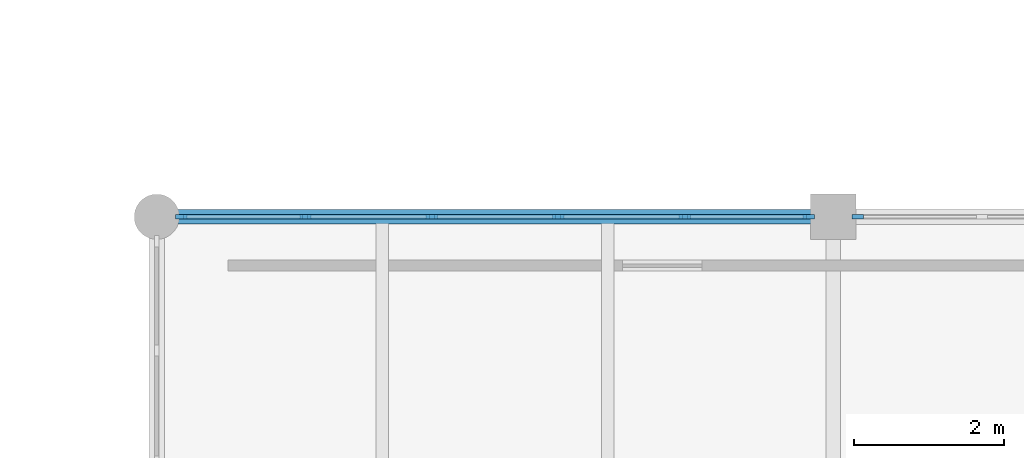
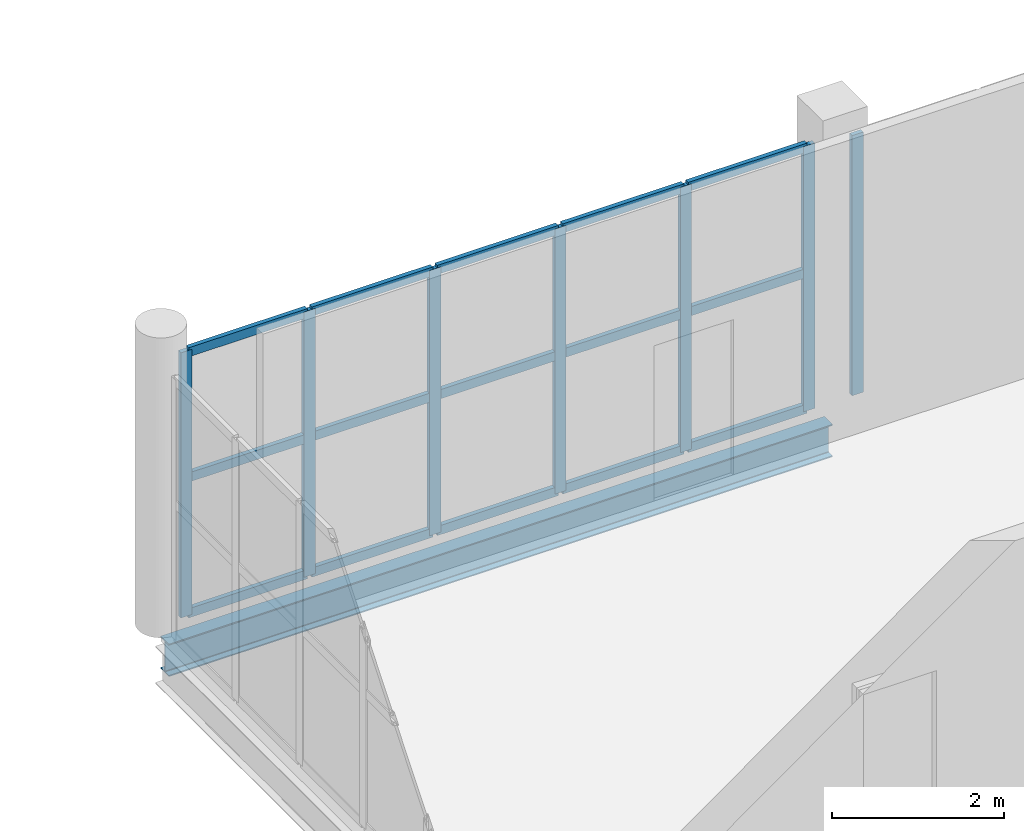
# One storey, part 31 of 73: 22 members, 1 beam, 2 elements without a shape of their own.
"""IFC4 building model written with IfcOpenShell, lengths in metres."""

from ifc_helpers import new_model, si_unit, direction, frame, origin, origin_2d, place, context, subcontext, project, spatial, rectangle, i_section, extrude, material, layer, layer_set, material_profile, profile_set, type_object, element, aggregate, save


model = new_model("IFC4")

# Units and contexts
model_context = context("Model", 3, precision=1e-05, world=origin(), true_north=direction((0.0, 1.0)))
body_context = subcontext(model_context, "Body", "Model", "MODEL_VIEW")
ifc_project = project(units=[si_unit("LENGTHUNIT", "METRE"), si_unit("AREAUNIT", "SQUARE_METRE"), si_unit("VOLUMEUNIT", "CUBIC_METRE"), si_unit("PLANEANGLEUNIT", "RADIAN"), si_unit("MASSUNIT", "GRAM", prefix="KILO")], contexts=[model_context])

# Site, building, storey
site_placement = place(None, origin())
site = spatial("IfcSite", under=ifc_project, at=site_placement, CompositionType="ELEMENT")
building_placement = place(site_placement, origin())
building = spatial("IfcBuilding", under=site, at=building_placement, Name="Marnock Terrace Opera House", CompositionType="ELEMENT")
storey_placement = place(building_placement, frame((0.0, 0.0, 14.699951171875)))
storey = spatial("IfcBuildingStorey", under=building, at=storey_placement, Name="L03", CompositionType="ELEMENT", Elevation=14.699951171875)

# Beam
ifc_material_1 = material(Name="Steel Grade 350 (AS/NZS 3679.1)", Category="steel")
ifc_material_profile_1 = material_profile(ifc_material_1, i_section(OverallWidth=0.19091796875, OverallDepth=0.46044921875, WebThickness=0.010009765625, FlangeThickness=0.01611328125, FilletRadius=0.011474609375, at=origin_2d()))
ifc_profile_set_1 = profile_set([ifc_material_profile_1], Name="Steel Grade 350 (AS/NZS 3679.1)")
beam_type = type_object("IfcBeamType", Name="BM-GIRD-460A", PredefinedType="BEAM", material=ifc_profile_set_1)
beam_placement = place(storey_placement, frame((118.050048828125, 40.0, -0.490234375), z_axis=(1.0, 0.0, 0.0), x_axis=(0.0, 1.0, 0.0)))
element("IfcBeam", 1, at=beam_placement, inside=storey, type_object=beam_type, Name="L03 girder (118.0..127.0, Y=40.0)", PredefinedType="BEAM", context=body_context, shape_type="SweptSolid", body=[
    extrude(i_section(OverallWidth=0.19091796875, OverallDepth=0.46044921875, WebThickness=0.010009765625, FlangeThickness=0.01611328125, FilletRadius=0.011474609375, at=origin_2d()), origin(), (0.0, 0.0, 1.0), 8.89990234375),
])

# Curtain wall, members
ifc_material_2 = material(Name="Anodised architectural bronze aluminium framing", Category="aluminium")
ifc_layer = layer(ifc_material_2, 0.159912109375)
ifc_layer_set = layer_set([ifc_layer], Name="Anodised architectural bronze aluminium framing")
curtain_wall_type = type_object("IfcCurtainWallType", Name="CW-LOGGIA-86x42", PredefinedType="NOTDEFINED", material=ifc_layer_set)
curtain_wall_1_placement = place(storey_placement, origin())
curtain_wall_1 = element("IfcCurtainWall", 2, at=curtain_wall_1_placement, inside=storey, type_object=curtain_wall_type, Name="L03 glazed Beaux-Arts colonnade curtain wall CW-V5-L03-CS1", PredefinedType="NOTDEFINED")
ifc_material_profile_2 = material_profile(ifc_material_2, rectangle(XDim=0.06005859375, YDim=0.14990234375, at=origin_2d()))
ifc_profile_set_2 = profile_set([ifc_material_profile_2], Name="Anodised architectural bronze aluminium framing")
member_type_1 = type_object("IfcMemberType", Name="CWM-60x150", PredefinedType="MULLION", material=ifc_profile_set_2)
member_1_placement = place(storey_placement, frame((118.325927734375, 40.0, 0.0), z_axis=(0.0, 0.0, 1.0), x_axis=(0.0, 1.0, 0.0)))
member_1 = element("IfcMember", 3, at=member_1_placement, type_object=member_type_1, Name="CW-66 mullion 1", PredefinedType="MULLION", context=body_context, shape_type="SweptSolid", body=[
    extrude(rectangle(XDim=0.06005859375, YDim=0.14990234375, at=origin_2d()), origin(), (0.0, 0.0, 1.0), 3.759765625),
])
member_2_placement = place(storey_placement, frame((119.9775390625, 40.0, 0.0), z_axis=(0.0, 0.0, 1.0), x_axis=(0.0, 1.0, 0.0)))
member_2 = element("IfcMember", 4, at=member_2_placement, type_object=member_type_1, Name="CW-66 mullion 2", PredefinedType="MULLION", context=body_context, shape_type="SweptSolid", body=[
    extrude(rectangle(XDim=0.06005859375, YDim=0.14990234375, at=origin_2d()), origin(), (0.0, 0.0, 1.0), 3.759765625),
])
member_3_placement = place(storey_placement, frame((121.6591796875, 40.0, 0.0), z_axis=(0.0, 0.0, 1.0), x_axis=(0.0, 1.0, 0.0)))
member_3 = element("IfcMember", 5, at=member_3_placement, type_object=member_type_1, Name="CW-66 mullion 3", PredefinedType="MULLION", context=body_context, shape_type="SweptSolid", body=[
    extrude(rectangle(XDim=0.06005859375, YDim=0.14990234375, at=origin_2d()), origin(), (0.0, 0.0, 1.0), 3.759765625),
])
member_4_placement = place(storey_placement, frame((123.3408203125, 40.0, 0.0), z_axis=(0.0, 0.0, 1.0), x_axis=(0.0, 1.0, 0.0)))
member_4 = element("IfcMember", 6, at=member_4_placement, type_object=member_type_1, Name="CW-66 mullion 4", PredefinedType="MULLION", context=body_context, shape_type="SweptSolid", body=[
    extrude(rectangle(XDim=0.06005859375, YDim=0.14990234375, at=origin_2d()), origin(), (0.0, 0.0, 1.0), 3.759765625),
])
member_5_placement = place(storey_placement, frame((125.0224609375, 40.0, 0.0), z_axis=(0.0, 0.0, 1.0), x_axis=(0.0, 1.0, 0.0)))
member_5 = element("IfcMember", 7, at=member_5_placement, type_object=member_type_1, Name="CW-66 mullion 5", PredefinedType="MULLION", context=body_context, shape_type="SweptSolid", body=[
    extrude(rectangle(XDim=0.06005859375, YDim=0.14990234375, at=origin_2d()), origin(), (0.0, 0.0, 1.0), 3.759765625),
])
member_6_placement = place(storey_placement, frame((126.674072265625, 40.0, 0.0), z_axis=(0.0, 0.0, 1.0), x_axis=(0.0, 1.0, 0.0)))
member_6 = element("IfcMember", 8, at=member_6_placement, type_object=member_type_1, Name="CW-66 mullion 6", PredefinedType="MULLION", context=body_context, shape_type="SweptSolid", body=[
    extrude(rectangle(XDim=0.06005859375, YDim=0.14990234375, at=origin_2d()), origin(), (0.0, 0.0, 1.0), 3.759765625),
])

# Curtain wall, member
curtain_wall_2_placement = place(storey_placement, origin())
curtain_wall_2 = element("IfcCurtainWall", 9, at=curtain_wall_2_placement, inside=storey, type_object=curtain_wall_type, Name="L03 glazed Beaux-Arts colonnade curtain wall CW-V5-L03-CS2", PredefinedType="NOTDEFINED")
member_7_placement = place(storey_placement, frame((127.325927734375, 40.0, 0.0), z_axis=(0.0, 0.0, 1.0), x_axis=(0.0, 1.0, 0.0)))
member_7 = element("IfcMember", 10, at=member_7_placement, type_object=member_type_1, Name="CW-66 mullion 1", PredefinedType="MULLION", context=body_context, shape_type="SweptSolid", body=[
    extrude(rectangle(XDim=0.06005859375, YDim=0.14990234375, at=origin_2d()), origin(), (0.0, 0.0, 1.0), 3.68701171875),
])
aggregate(curtain_wall_2, [member_7])

# Member
ifc_material_profile_3 = material_profile(ifc_material_2, rectangle(XDim=0.06005859375, YDim=0.1298828125, at=origin_2d()))
ifc_profile_set_3 = profile_set([ifc_material_profile_3], Name="Anodised architectural bronze aluminium framing")
member_type_2 = type_object("IfcMemberType", Name="CWT-60x130", PredefinedType="USERDEFINED", material=ifc_profile_set_3)
member_8_placement = place(storey_placement, frame((118.35595703125, 40.0, 0.030029296875), z_axis=(1.0, 0.0, 0.0), x_axis=(0.0, 1.0, 0.0)))
member_8 = element("IfcMember", 11, at=member_8_placement, type_object=member_type_2, Name="CW-66 transom 1.1", ObjectType="TRANSOM", PredefinedType="USERDEFINED", context=body_context, shape_type="SweptSolid", body=[
    extrude(rectangle(XDim=0.06005859375, YDim=0.1298828125, at=origin_2d()), origin(), (0.0, 0.0, 1.0), 1.591552734375),
])

member_9_placement = place(storey_placement, frame((118.35595703125, 40.0, 1.955078125), z_axis=(1.0, 0.0, 0.0), x_axis=(0.0, 1.0, 0.0)))
member_9 = element("IfcMember", 12, at=member_9_placement, type_object=member_type_2, Name="CW-66 transom 1.2", ObjectType="TRANSOM", PredefinedType="USERDEFINED", context=body_context, shape_type="SweptSolid", body=[
    extrude(rectangle(XDim=0.06005859375, YDim=0.1298828125, at=origin_2d()), origin(), (0.0, 0.0, 1.0), 1.591552734375),
])

member_10_placement = place(storey_placement, frame((118.35595703125, 40.0, 3.729736328125), z_axis=(1.0, 0.0, 0.0), x_axis=(0.0, 1.0, 0.0)))
member_10 = element("IfcMember", 13, at=member_10_placement, type_object=member_type_2, Name="CW-66 transom 1.3", ObjectType="TRANSOM", PredefinedType="USERDEFINED", context=body_context, shape_type="SweptSolid", body=[
    extrude(rectangle(XDim=0.06005859375, YDim=0.1298828125, at=origin_2d()), origin(), (0.0, 0.0, 1.0), 1.591552734375),
])

member_11_placement = place(storey_placement, frame((120.007568359375, 40.0, 0.030029296875), z_axis=(1.0, 0.0, 0.0), x_axis=(0.0, 1.0, 0.0)))
member_11 = element("IfcMember", 14, at=member_11_placement, type_object=member_type_2, Name="CW-66 transom 2.1", ObjectType="TRANSOM", PredefinedType="USERDEFINED", context=body_context, shape_type="SweptSolid", body=[
    extrude(rectangle(XDim=0.06005859375, YDim=0.1298828125, at=origin_2d()), origin(), (0.0, 0.0, 1.0), 1.62158203125),
])

member_12_placement = place(storey_placement, frame((120.007568359375, 40.0, 1.955078125), z_axis=(1.0, 0.0, 0.0), x_axis=(0.0, 1.0, 0.0)))
member_12 = element("IfcMember", 15, at=member_12_placement, type_object=member_type_2, Name="CW-66 transom 2.2", ObjectType="TRANSOM", PredefinedType="USERDEFINED", context=body_context, shape_type="SweptSolid", body=[
    extrude(rectangle(XDim=0.06005859375, YDim=0.1298828125, at=origin_2d()), origin(), (0.0, 0.0, 1.0), 1.62158203125),
])

member_13_placement = place(storey_placement, frame((120.007568359375, 40.0, 3.729736328125), z_axis=(1.0, 0.0, 0.0), x_axis=(0.0, 1.0, 0.0)))
member_13 = element("IfcMember", 16, at=member_13_placement, type_object=member_type_2, Name="CW-66 transom 2.3", ObjectType="TRANSOM", PredefinedType="USERDEFINED", context=body_context, shape_type="SweptSolid", body=[
    extrude(rectangle(XDim=0.06005859375, YDim=0.1298828125, at=origin_2d()), origin(), (0.0, 0.0, 1.0), 1.62158203125),
])

member_14_placement = place(storey_placement, frame((121.689208984375, 40.0, 0.030029296875), z_axis=(1.0, 0.0, 0.0), x_axis=(0.0, 1.0, 0.0)))
member_14 = element("IfcMember", 17, at=member_14_placement, type_object=member_type_2, Name="CW-66 transom 3.1", ObjectType="TRANSOM", PredefinedType="USERDEFINED", context=body_context, shape_type="SweptSolid", body=[
    extrude(rectangle(XDim=0.06005859375, YDim=0.1298828125, at=origin_2d()), origin(), (0.0, 0.0, 1.0), 1.62158203125),
])

member_15_placement = place(storey_placement, frame((121.689208984375, 40.0, 1.955078125), z_axis=(1.0, 0.0, 0.0), x_axis=(0.0, 1.0, 0.0)))
member_15 = element("IfcMember", 18, at=member_15_placement, type_object=member_type_2, Name="CW-66 transom 3.2", ObjectType="TRANSOM", PredefinedType="USERDEFINED", context=body_context, shape_type="SweptSolid", body=[
    extrude(rectangle(XDim=0.06005859375, YDim=0.1298828125, at=origin_2d()), origin(), (0.0, 0.0, 1.0), 1.62158203125),
])

member_16_placement = place(storey_placement, frame((121.689208984375, 40.0, 3.729736328125), z_axis=(1.0, 0.0, 0.0), x_axis=(0.0, 1.0, 0.0)))
member_16 = element("IfcMember", 19, at=member_16_placement, type_object=member_type_2, Name="CW-66 transom 3.3", ObjectType="TRANSOM", PredefinedType="USERDEFINED", context=body_context, shape_type="SweptSolid", body=[
    extrude(rectangle(XDim=0.06005859375, YDim=0.1298828125, at=origin_2d()), origin(), (0.0, 0.0, 1.0), 1.62158203125),
])

member_17_placement = place(storey_placement, frame((123.370849609375, 40.0, 0.030029296875), z_axis=(1.0, 0.0, 0.0), x_axis=(0.0, 1.0, 0.0)))
member_17 = element("IfcMember", 20, at=member_17_placement, type_object=member_type_2, Name="CW-66 transom 4.1", ObjectType="TRANSOM", PredefinedType="USERDEFINED", context=body_context, shape_type="SweptSolid", body=[
    extrude(rectangle(XDim=0.06005859375, YDim=0.1298828125, at=origin_2d()), origin(), (0.0, 0.0, 1.0), 1.62158203125),
])

member_18_placement = place(storey_placement, frame((123.370849609375, 40.0, 1.955078125), z_axis=(1.0, 0.0, 0.0), x_axis=(0.0, 1.0, 0.0)))
member_18 = element("IfcMember", 21, at=member_18_placement, type_object=member_type_2, Name="CW-66 transom 4.2", ObjectType="TRANSOM", PredefinedType="USERDEFINED", context=body_context, shape_type="SweptSolid", body=[
    extrude(rectangle(XDim=0.06005859375, YDim=0.1298828125, at=origin_2d()), origin(), (0.0, 0.0, 1.0), 1.62158203125),
])

member_19_placement = place(storey_placement, frame((123.370849609375, 40.0, 3.729736328125), z_axis=(1.0, 0.0, 0.0), x_axis=(0.0, 1.0, 0.0)))
member_19 = element("IfcMember", 22, at=member_19_placement, type_object=member_type_2, Name="CW-66 transom 4.3", ObjectType="TRANSOM", PredefinedType="USERDEFINED", context=body_context, shape_type="SweptSolid", body=[
    extrude(rectangle(XDim=0.06005859375, YDim=0.1298828125, at=origin_2d()), origin(), (0.0, 0.0, 1.0), 1.62158203125),
])

member_20_placement = place(storey_placement, frame((125.052490234375, 40.0, 0.030029296875), z_axis=(1.0, 0.0, 0.0), x_axis=(0.0, 1.0, 0.0)))
member_20 = element("IfcMember", 23, at=member_20_placement, type_object=member_type_2, Name="CW-66 transom 5.1", ObjectType="TRANSOM", PredefinedType="USERDEFINED", context=body_context, shape_type="SweptSolid", body=[
    extrude(rectangle(XDim=0.06005859375, YDim=0.1298828125, at=origin_2d()), origin(), (0.0, 0.0, 1.0), 1.591552734375),
])

member_21_placement = place(storey_placement, frame((125.052490234375, 40.0, 1.955078125), z_axis=(1.0, 0.0, 0.0), x_axis=(0.0, 1.0, 0.0)))
member_21 = element("IfcMember", 24, at=member_21_placement, type_object=member_type_2, Name="CW-66 transom 5.2", ObjectType="TRANSOM", PredefinedType="USERDEFINED", context=body_context, shape_type="SweptSolid", body=[
    extrude(rectangle(XDim=0.06005859375, YDim=0.1298828125, at=origin_2d()), origin(), (0.0, 0.0, 1.0), 1.591552734375),
])

member_22_placement = place(storey_placement, frame((125.052490234375, 40.0, 3.729736328125), z_axis=(1.0, 0.0, 0.0), x_axis=(0.0, 1.0, 0.0)))
member_22 = element("IfcMember", 25, at=member_22_placement, type_object=member_type_2, Name="CW-66 transom 5.3", ObjectType="TRANSOM", PredefinedType="USERDEFINED", context=body_context, shape_type="SweptSolid", body=[
    extrude(rectangle(XDim=0.06005859375, YDim=0.1298828125, at=origin_2d()), origin(), (0.0, 0.0, 1.0), 1.591552734375),
])

aggregate(curtain_wall_1, [member_1, member_2, member_3, member_4, member_5, member_6, member_8, member_9, member_10, member_11, member_12, member_13, member_14, member_15, member_16, member_17, member_18, member_19, member_20, member_21, member_22])

save(model, "model.ifc")
